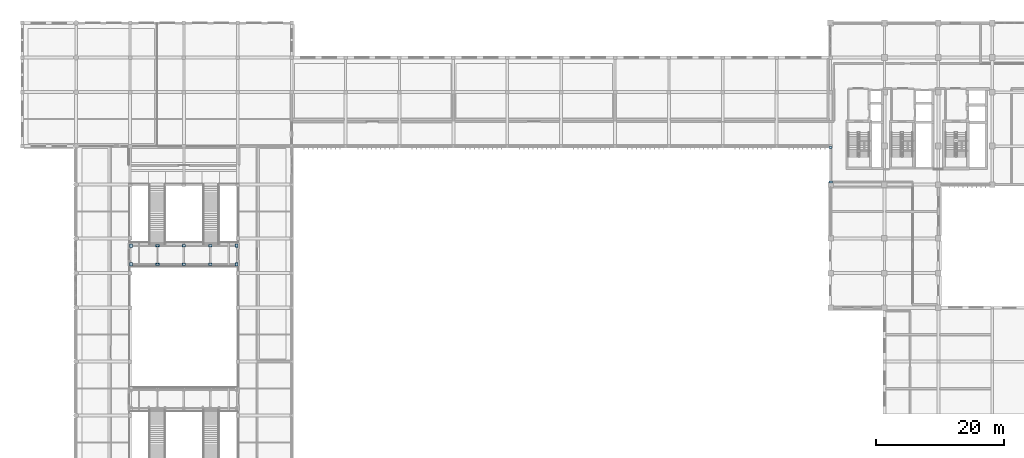
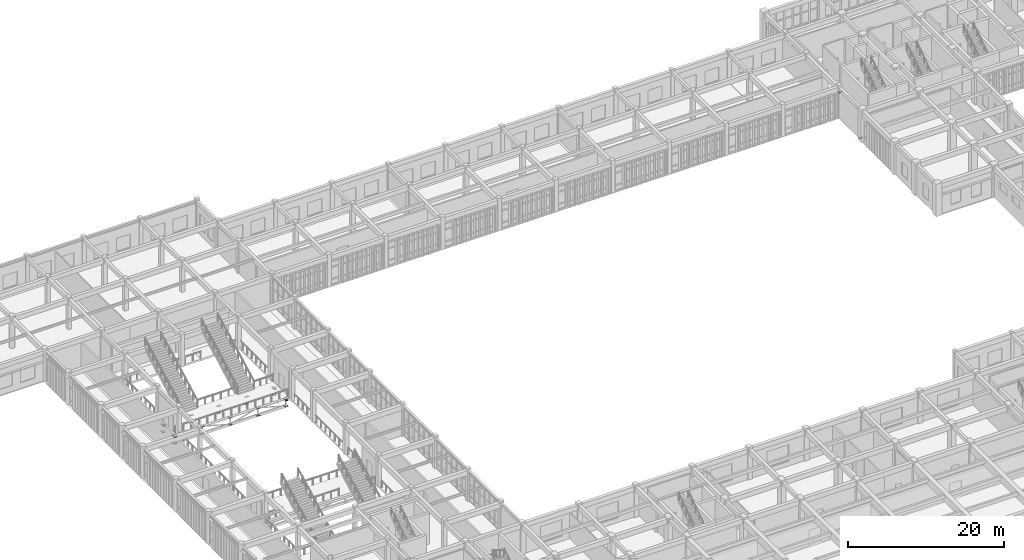
# One storey, part 82 of 106: 26 plates.
"""IFC4 building model written with IfcOpenShell, lengths in metres."""

from ifc_helpers import new_model, si_unit, direction, frame, origin, origin_2d, place, context, subcontext, project, spatial, rectangle, extrude, material, layer, layer_set, type_object, element, save


model = new_model("IFC4")

# Units and contexts
model_context = context("Model", 3, precision=1e-05, world=origin(), true_north=direction((0.0, 1.0)))
body_context = subcontext(model_context, "Body", "Model", "MODEL_VIEW")
ifc_project = project(units=[si_unit("LENGTHUNIT", "METRE"), si_unit("AREAUNIT", "SQUARE_METRE"), si_unit("VOLUMEUNIT", "CUBIC_METRE"), si_unit("PLANEANGLEUNIT", "RADIAN"), si_unit("MASSUNIT", "GRAM", prefix="KILO")], contexts=[model_context])

# Site, building, storey
site_placement = place(None, origin())
site = spatial("IfcSite", under=ifc_project, at=site_placement, CompositionType="ELEMENT")
building_placement = place(site_placement, origin())
building = spatial("IfcBuilding", under=site, at=building_placement, Name="Krzemoval Escarpment Law Courts", CompositionType="ELEMENT")
storey_placement = place(building_placement, frame((0.0, 0.0, 5.10009765625)))
storey = spatial("IfcBuildingStorey", under=building, at=storey_placement, Name="L01", CompositionType="ELEMENT", Elevation=5.10009765625)

# Plates
ifc_material_1 = material(Name="Steel S355", Category="steel")
ifc_layer_1 = layer(ifc_material_1, 0.034912109375)
ifc_layer_set_1 = layer_set([ifc_layer_1], Name="Steel S355")
plate_type_1 = type_object("IfcPlateType", Name="PLT-BRG-SEAT360", PredefinedType="USERDEFINED", material=ifc_layer_set_1)
for number, where, z_axis, x_axis, name in (
    (1, (16.97998046875, 81.169921875, -0.70556640625), (0.0, 0.0, 1.0), (1.0, 0.0, 0.0), "Sky-Bridge 360mm Sliding Bearing Seat BSP-0013"),
    (2, (33.419921875, 81.169921875, -0.70556640625), (0.0, 0.0, 1.0), (1.0, 0.0, 0.0), "Sky-Bridge 360mm Sliding Bearing Seat BSP-0014"),
    (3, (16.97998046875, 84.070068359375, -0.70556640625), (0.0, 0.0, 1.0), (1.0, 0.0, 0.0), "Sky-Bridge 360mm Sliding Bearing Seat BSP-0015"),
    (4, (33.419921875, 84.070068359375, -0.70556640625), (0.0, 0.0, 1.0), (1.0, 0.0, 0.0), "Sky-Bridge 360mm Sliding Bearing Seat BSP-0016"),
):
    element("IfcPlate", number, at=place(storey_placement, frame(where, z_axis=z_axis, x_axis=x_axis)), inside=storey, type_object=plate_type_1, Name=name, ObjectType="FLANGE_PLATE", PredefinedType="USERDEFINED", context=body_context, shape_type="SweptSolid", body=[
        extrude(rectangle(XDim=0.360107421875, YDim=0.60009765625, at=origin_2d()), origin(), (0.0, 0.0, 1.0), 0.034912109375),
    ])
ifc_material_2 = material(Name="Steel S355", Category="steel")
ifc_layer_2 = layer(ifc_material_2, 0.034912109375)
ifc_layer_set_2 = layer_set([ifc_layer_2], Name="Steel S355")
plate_type_2 = type_object("IfcPlateType", Name="PLT-FLG-35", PredefinedType="USERDEFINED", material=ifc_layer_set_2)
for number, where, z_axis, x_axis, name in (
    (5, (33.429931640625, 81.169921875, -1.6875), (0.0, 0.0, 1.0), (1.0, 0.0, 0.0), "Gusset and End-Cap Plate ECP-0193"),
    (6, (33.429931640625, 81.169921875, -0.53759765625), (0.0, 0.0, 1.0), (1.0, 0.0, 0.0), "Gusset and End-Cap Plate ECP-0195"),
    (7, (33.429931640625, 84.070068359375, -1.6875), (0.0, 0.0, 1.0), (1.0, 0.0, 0.0), "Gusset and End-Cap Plate ECP-0203"),
    (8, (33.429931640625, 84.070068359375, -0.53759765625), (0.0, 0.0, 1.0), (1.0, 0.0, 0.0), "Gusset and End-Cap Plate ECP-0205"),
):
    element("IfcPlate", number, at=place(storey_placement, frame(where, z_axis=z_axis, x_axis=x_axis)), inside=storey, type_object=plate_type_2, Name=name, ObjectType="FLANGE_PLATE", PredefinedType="USERDEFINED", context=body_context, shape_type="SweptSolid", body=[
        extrude(rectangle(XDim=0.4599609375, YDim=0.4599609375, at=origin_2d()), origin(), (0.0, 0.0, 1.0), 0.034912109375),
    ])
ifc_material_3 = material(Name="Steel S355", Category="steel")
ifc_layer_3 = layer(ifc_material_3, 0.0400390625)
ifc_layer_set_3 = layer_set([ifc_layer_3], Name="Steel S355")
plate_type_3 = type_object("IfcPlateType", Name="PLT-FLG-40", PredefinedType="USERDEFINED", material=ifc_layer_set_3)
for number, where, z_axis, x_axis, name in (
    (9, (16.969970703125, 81.169921875, -1.690185546875), (0.0, 0.0, 1.0), (1.0, 0.0, 0.0), "Gusset and End-Cap Plate ECP-0192"),
    (10, (16.969970703125, 81.169921875, -0.5400390625), (0.0, 0.0, 1.0), (1.0, 0.0, 0.0), "Gusset and End-Cap Plate ECP-0194"),
    (11, (16.969970703125, 84.070068359375, -1.690185546875), (0.0, 0.0, 1.0), (1.0, 0.0, 0.0), "Gusset and End-Cap Plate ECP-0202"),
    (12, (16.969970703125, 84.070068359375, -0.5400390625), (0.0, 0.0, 1.0), (1.0, 0.0, 0.0), "Gusset and End-Cap Plate ECP-0204"),
):
    element("IfcPlate", number, at=place(storey_placement, frame(where, z_axis=z_axis, x_axis=x_axis)), inside=storey, type_object=plate_type_3, Name=name, ObjectType="FLANGE_PLATE", PredefinedType="USERDEFINED", context=body_context, shape_type="SweptSolid", body=[
        extrude(rectangle(XDim=0.5, YDim=0.5, at=origin_2d()), origin(), (0.0, 0.0, 1.0), 0.0400390625),
    ])
ifc_material_4 = material(Name="Steel S355", Category="steel")
ifc_layer_4 = layer(ifc_material_4, 0.02001953125)
ifc_layer_set_4 = layer_set([ifc_layer_4], Name="Steel S355")
plate_type_4 = type_object("IfcPlateType", Name="PLT-GUS-20", PredefinedType="USERDEFINED", material=ifc_layer_set_4)
for number, where, z_axis, x_axis, name in (
    (13, (25.199951171875, 81.169921875, -1.68017578125), (0.0, 0.0, 1.0), (1.0, 0.0, 0.0), "Gusset and End-Cap Plate ECP-0197"),
    (14, (21.0849609375, 81.169921875, -1.68017578125), (0.0, 0.0, 1.0), (1.0, 0.0, 0.0), "Gusset and End-Cap Plate ECP-0199"),
    (15, (29.31494140625, 81.169921875, -1.68017578125), (0.0, 0.0, 1.0), (1.0, 0.0, 0.0), "Gusset and End-Cap Plate ECP-0201"),
    (16, (25.199951171875, 84.070068359375, -1.68017578125), (0.0, 0.0, 1.0), (1.0, 0.0, 0.0), "Gusset and End-Cap Plate ECP-0207"),
    (17, (21.0849609375, 84.070068359375, -1.68017578125), (0.0, 0.0, 1.0), (1.0, 0.0, 0.0), "Gusset and End-Cap Plate ECP-0209"),
    (18, (29.31494140625, 84.070068359375, -1.68017578125), (0.0, 0.0, 1.0), (1.0, 0.0, 0.0), "Gusset and End-Cap Plate ECP-0211"),
    (19, (126.0, 99.35009765625, 4.02978515625), (0.0, 0.0, 1.0), (1.0, 0.0, 0.0), "Gusset and End-Cap Plate ECP-0265"),
):
    element("IfcPlate", number, at=place(storey_placement, frame(where, z_axis=z_axis, x_axis=x_axis)), inside=storey, type_object=plate_type_4, Name=name, ObjectType="GUSSET_PLATE", PredefinedType="USERDEFINED", context=body_context, shape_type="SweptSolid", body=[
        extrude(rectangle(XDim=0.47998046875, YDim=0.320068359375, at=origin_2d()), origin(), (0.0, 0.0, 1.0), 0.02001953125),
    ])
ifc_material_5 = material(Name="Steel S355", Category="steel")
ifc_layer_5 = layer(ifc_material_5, 0.030029296875)
ifc_layer_set_5 = layer_set([ifc_layer_5], Name="Steel S355")
plate_type_5 = type_object("IfcPlateType", Name="PLT-GUS-30", PredefinedType="USERDEFINED", material=ifc_layer_set_5)
for number, where, z_axis, x_axis, name in (
    (20, (21.0849609375, 81.169921875, -0.53515625), (0.0, 0.0, 1.0), (1.0, 0.0, 0.0), "Gusset and End-Cap Plate ECP-0196"),
    (21, (29.31494140625, 81.169921875, -0.53515625), (0.0, 0.0, 1.0), (1.0, 0.0, 0.0), "Gusset and End-Cap Plate ECP-0198"),
    (22, (25.199951171875, 81.169921875, -0.53515625), (0.0, 0.0, 1.0), (1.0, 0.0, 0.0), "Gusset and End-Cap Plate ECP-0200"),
    (23, (21.0849609375, 84.070068359375, -0.53515625), (0.0, 0.0, 1.0), (1.0, 0.0, 0.0), "Gusset and End-Cap Plate ECP-0206"),
    (24, (29.31494140625, 84.070068359375, -0.53515625), (0.0, 0.0, 1.0), (1.0, 0.0, 0.0), "Gusset and End-Cap Plate ECP-0208"),
    (25, (25.199951171875, 84.070068359375, -0.53515625), (0.0, 0.0, 1.0), (1.0, 0.0, 0.0), "Gusset and End-Cap Plate ECP-0210"),
    (26, (126.0, 94.0, 0.125), (0.0, 0.0, 1.0), (1.0, 0.0, 0.0), "Gusset and End-Cap Plate ECP-0264"),
):
    element("IfcPlate", number, at=place(storey_placement, frame(where, z_axis=z_axis, x_axis=x_axis)), inside=storey, type_object=plate_type_5, Name=name, ObjectType="GUSSET_PLATE", PredefinedType="USERDEFINED", context=body_context, shape_type="SweptSolid", body=[
        extrude(rectangle(XDim=0.56005859375, YDim=0.360107421875, at=origin_2d()), origin(), (0.0, 0.0, 1.0), 0.030029296875),
    ])

save(model, "model.ifc")
